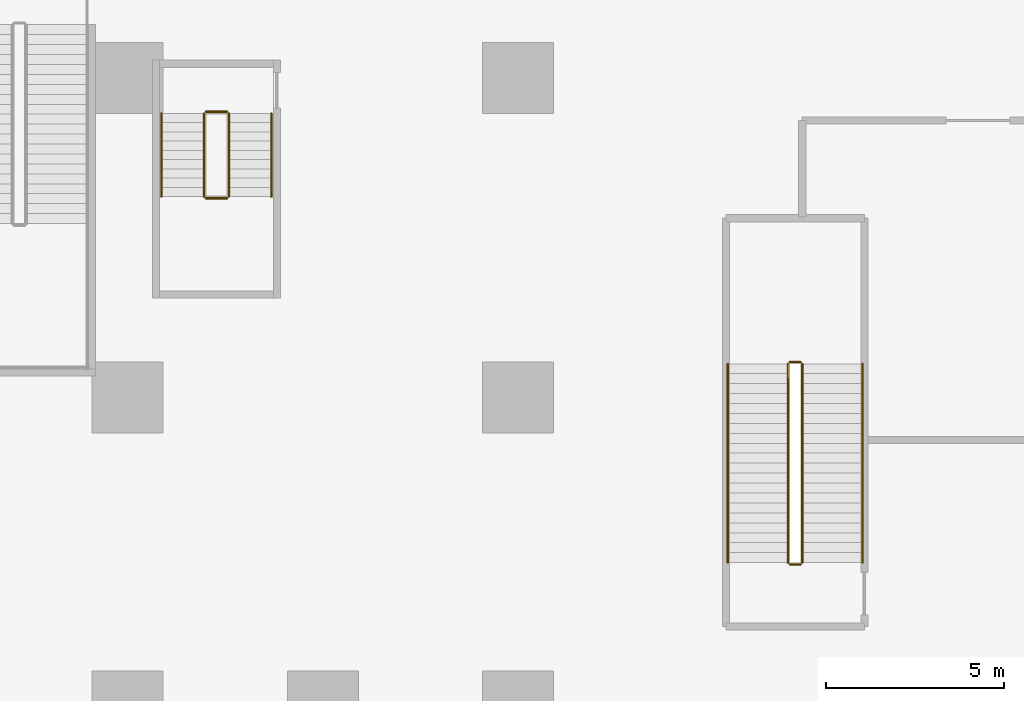
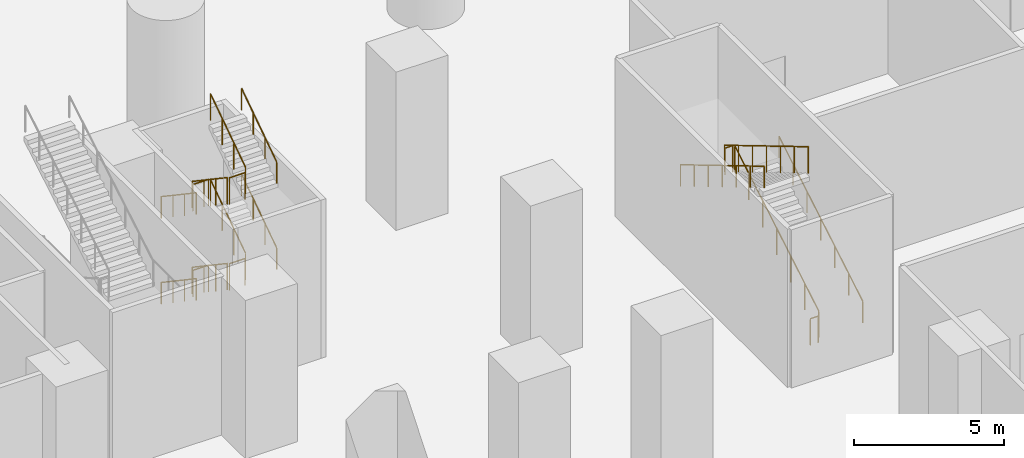
# One storey, part 24 of 37: 18 railings.
"""IFC4 building model written with IfcOpenShell, lengths in metres."""

import ifcopenshell
import ifcopenshell.guid

model = None  # the IFC model being written
_history = None  # IfcOwnerHistory: only IFC2X3 demands one
_inside = {}  # id of a spatial element -> (the spatial element, [elements in it])
_under = {}  # id of a project, library or spatial element -> (it, [spatial elements below it])
_declared = {}  # id of a project -> (the project, [libraries it declares])
_typed = {}  # id of a type object -> (the type object, [elements of that type])
_made_of = {}  # id of a material, layer set ... -> (it, [elements and type objects made of it])


def new_model(schema):
    """Start an empty IFC model of exactly this schema.

    Asked for "IFC4X3", IfcOpenShell would pick the latest addendum, in which some entities
    have other attributes; the version numbers below select the first issue.
    IFC2X3 requires an IfcOwnerHistory on every rooted entity: one is made here for all.
    """
    global model, _history
    if schema == "IFC4X3":
        model = ifcopenshell.file(schema_version=(4, 3, 0, 0))
    else:
        model = ifcopenshell.file(schema=schema)
    _inside.clear()
    _under.clear()
    _declared.clear()
    _typed.clear()
    _made_of.clear()
    _history = None
    if model.schema == "IFC2X3":
        org = make("IfcOrganization", Name="unknown")
        user = make(
            "IfcPersonAndOrganization",
            ThePerson=make("IfcPerson", FamilyName="unknown"),
            TheOrganization=org,
        )
        app = make(
            "IfcApplication",
            ApplicationDeveloper=org,
            Version="unknown",
            ApplicationFullName="unknown",
            ApplicationIdentifier="unknown",
        )
        _history = make(
            "IfcOwnerHistory",
            OwningUser=user,
            OwningApplication=app,
            ChangeAction="ADDED",
            CreationDate=0,
        )
    return model


def make(cls, **values):
    """One entity of the class cls with the attributes given. An attribute that is None is left unset."""
    return model.create_entity(
        cls, **{name: value for name, value in values.items() if value is not None}
    )


def rooted(cls, **values):
    """An entity with a GlobalId (a new one), such as an element, a storey or a relation."""
    return make(cls, GlobalId=ifcopenshell.guid.new(), OwnerHistory=_history, **values)


def si_unit(unit_type, name, prefix=None):
    """IfcSIUnit, for example si_unit("LENGTHUNIT", "METRE", prefix="MILLI")."""
    return make("IfcSIUnit", UnitType=unit_type, Prefix=prefix, Name=name)


def assignment(units):
    """IfcUnitAssignment: the units of a project."""
    return None if units is None else make("IfcUnitAssignment", Units=units)


def point(xyz):
    """IfcCartesianPoint."""
    return None if xyz is None else make("IfcCartesianPoint", Coordinates=xyz)


def direction(xyz):
    """IfcDirection."""
    return None if xyz is None else make("IfcDirection", DirectionRatios=xyz)


def frame(location, z_axis=None, x_axis=None):
    """IfcAxis2Placement3D, a coordinate frame: its origin and axes. An axis left out is left unset."""
    return make(
        "IfcAxis2Placement3D",
        Location=point(location),
        Axis=direction(z_axis),
        RefDirection=direction(x_axis),
    )


def frame_2d(location, x_axis=None):
    """IfcAxis2Placement2D, a coordinate frame in the plane: its origin and x axis."""
    return make(
        "IfcAxis2Placement2D", Location=point(location), RefDirection=direction(x_axis)
    )


def origin():
    """The frame at (0, 0, 0) with its axes left unset."""
    return frame((0.0, 0.0, 0.0))


def origin_2d():
    """The frame at (0, 0) in the plane with its x axis left unset."""
    return frame_2d((0.0, 0.0))


def place(relative_to, where):
    """IfcLocalPlacement: puts the frame where relative to a parent placement (None: the world)."""
    return make(
        "IfcLocalPlacement", PlacementRelTo=relative_to, RelativePlacement=where
    )


def context(
    kind, dimensions, precision=None, world=None, true_north=None, identifier=None
):
    """IfcGeometricRepresentationContext, for example the 3D "Model" context."""
    return make(
        "IfcGeometricRepresentationContext",
        ContextIdentifier=identifier,
        ContextType=kind,
        CoordinateSpaceDimension=dimensions,
        Precision=precision,
        WorldCoordinateSystem=world,
        TrueNorth=true_north,
    )


def subcontext(parent, identifier, kind, view, scale=None):
    """IfcGeometricRepresentationSubContext, for example "Body" below "Model"."""
    return make(
        "IfcGeometricRepresentationSubContext",
        ContextIdentifier=identifier,
        ContextType=kind,
        ParentContext=parent,
        TargetScale=scale,
        TargetView=view,
    )


def project(units=None, contexts=None):
    """IfcProject with its units and contexts."""
    return rooted(
        "IfcProject",
        Name="project",
        RepresentationContexts=contexts,
        UnitsInContext=assignment(units),
    )


def spatial(cls, under=None, at=None, **own):
    """A site, building, storey or space (cls), placed at a placement, below another one or the project."""
    s = rooted(cls, ObjectPlacement=at, **own)
    if under is not None:
        _under.setdefault(under.id(), (under, []))[1].append(s)
    return s


def profile(cls, at=None, kind="AREA", **sizes):
    """A parametric profile (cls). Its sizes go by their IFC names, for example OverallWidth=200.0."""
    return make(cls, ProfileType=kind, Position=at, **sizes)


def circle(**sizes):
    """IfcCircleProfileDef."""
    return profile("IfcCircleProfileDef", **sizes)


def extrude(swept, where, along, depth):
    """IfcExtrudedAreaSolid: the profile swept, set in the frame where, extruded along a direction by depth."""
    return make(
        "IfcExtrudedAreaSolid",
        SweptArea=swept,
        Position=where,
        ExtrudedDirection=direction(along),
        Depth=depth,
    )


def shape(context_of_items, identifier, shape_type, items):
    """IfcShapeRepresentation: the items that make up one representation, for example the "Body"."""
    return make(
        "IfcShapeRepresentation",
        ContextOfItems=context_of_items,
        RepresentationIdentifier=identifier,
        RepresentationType=shape_type,
        Items=items,
    )


def material(Name=None, Category=None):
    """IfcMaterial."""
    return make("IfcMaterial", Name=Name, Category=Category)


def made_of(thing, what):
    """Note that an element or type object is made of a material, layer set ...; save() writes the relation."""
    if what is not None:
        _made_of.setdefault(what.id(), (what, []))[1].append(thing)
    return thing


def type_object(cls, material=None, **own):
    """A type object (cls), such as IfcWallType, which elements share."""
    return made_of(rooted(cls, **own), material)


def element(
    cls,
    number,
    at=None,
    inside=None,
    cuts=None,
    type_object=None,
    material=None,
    context=None,
    identifier="Body",
    shape_type=None,
    held_by="IfcProductDefinitionShape",
    body=None,
    shapes=None,
    **own,
):
    """One element of the class cls, such as IfcWall. Its Tag is "e" and its number.

    at: its placement. inside: the storey or other place that contains it. cuts: it is an
    opening in that element (IfcRelVoidsElement). A single representation is given by context,
    identifier, shape_type and body (its items); several are given by shapes. held_by: the class
    of the entity that holds the representations. save() writes the other relations.
    """
    e = rooted(cls, Tag="e%d" % number, ObjectPlacement=at, **own)
    if body is not None:
        shapes = [shape(context, identifier, shape_type, body)]
    if shapes is not None:
        e.Representation = make(held_by, Representations=shapes)
    if inside is not None:
        _inside.setdefault(inside.id(), (inside, []))[1].append(e)
    if cuts is not None:
        rooted(
            "IfcRelVoidsElement", RelatingBuildingElement=cuts, RelatedOpeningElement=e
        )
    if type_object is not None:
        _typed.setdefault(type_object.id(), (type_object, []))[1].append(e)
    return made_of(e, material)


def aggregate(whole, parts):
    """IfcRelAggregates: a whole, such as a stair, and the parts it consists of."""
    return rooted("IfcRelAggregates", RelatingObject=whole, RelatedObjects=parts)


def save(model, path):
    """Write the relations noted so far, then the file.

    IfcRelAggregates (storeys below a building ...), IfcRelContainedInSpatialStructure (elements
    in a storey), IfcRelDefinesByType, IfcRelAssociatesMaterial and IfcRelDeclares: one each for
    every whole, place, type object, material and project.
    """
    for whole, parts in _under.values():
        aggregate(whole, parts)
    for where, things in _inside.values():
        rooted(
            "IfcRelContainedInSpatialStructure",
            RelatedElements=things,
            RelatingStructure=where,
        )
    for kind, things in _typed.values():
        rooted("IfcRelDefinesByType", RelatedObjects=things, RelatingType=kind)
    for what, things in _made_of.values():
        rooted("IfcRelAssociatesMaterial", RelatedObjects=things, RelatingMaterial=what)
    for by, libraries in _declared.values():
        rooted("IfcRelDeclares", RelatingContext=by, RelatedDefinitions=libraries)
    model.write(path)


model = new_model("IFC4")

# Units and contexts
model_context = context("Model", 3, precision=1e-05, world=origin(), true_north=direction((0.0, 1.0)))
body_context = subcontext(model_context, "Body", "Model", "MODEL_VIEW")
ifc_project = project(units=[si_unit("LENGTHUNIT", "METRE"), si_unit("AREAUNIT", "SQUARE_METRE"), si_unit("VOLUMEUNIT", "CUBIC_METRE"), si_unit("PLANEANGLEUNIT", "RADIAN"), si_unit("MASSUNIT", "GRAM", prefix="KILO")], contexts=[model_context])

# Site, building, storey
site_placement = place(None, origin())
site = spatial("IfcSite", under=ifc_project, at=site_placement, CompositionType="ELEMENT")
building_placement = place(site_placement, origin())
building = spatial("IfcBuilding", under=site, at=building_placement, Name="Tamarind Cross Interchange Tower", CompositionType="ELEMENT")
storey_placement = place(building_placement, frame((0.0, 0.0, -7.0)))
storey = spatial("IfcBuildingStorey", under=building, at=storey_placement, Name="B1", CompositionType="ELEMENT", Elevation=-7.0)

# Railings
ifc_material_1 = material(Name="Public stair guard")
railing_type_1 = type_object("IfcRailingType", Name="Public stair guard", PredefinedType="GUARDRAIL", material=ifc_material_1)
railing_1_placement = place(storey_placement, frame((13.5, -43.949951171875, 0.166748046875)))
element("IfcRailing", 1, at=railing_1_placement, inside=storey, type_object=railing_type_1, Name="B1 XS-P12 stair guard 1", PredefinedType="GUARDRAIL", context=body_context, shape_type="SweptSolid", body=[
    extrude(circle(Radius=0.02392578125, at=origin_2d()), frame((0.0, 0.0, 1.076171875), z_axis=(0.0, 0.859292492371, 0.511484518392), x_axis=(-1.0, 0.0, 0.0)), (0.0, 0.0, 1.0), 6.516845703125),
    extrude(circle(Radius=0.02099609375, at=origin_2d()), origin(), (0.0, 0.0, 1.0), 1.052001953125),
    extrude(circle(Radius=0.02099609375, at=origin_2d()), frame((0.0, 0.933349609375, 0.5556640625)), (0.0, 0.0, 1.0), 1.052001953125),
    extrude(circle(Radius=0.02099609375, at=origin_2d()), frame((0.0, 1.86669921875, 1.111083984375)), (0.0, 0.0, 1.0), 1.052001953125),
    extrude(circle(Radius=0.02099609375, at=origin_2d()), frame((0.0, 2.7998046875, 1.66650390625)), (0.0, 0.0, 1.0), 1.052001953125),
    extrude(circle(Radius=0.02099609375, at=origin_2d()), frame((0.0, 3.733154296875, 2.22216796875)), (0.0, 0.0, 1.0), 1.052001953125),
    extrude(circle(Radius=0.02099609375, at=origin_2d()), frame((0.0, 4.66650390625, 2.77783203125)), (0.0, 0.0, 1.0), 1.052001953125),
    extrude(circle(Radius=0.02099609375, at=origin_2d()), frame((0.0, 5.599853515625, 3.333251953125)), (0.0, 0.0, 1.0), 1.052001953125),
])
railing_2_placement = place(storey_placement, frame((13.449951171875, -38.300048828125, 3.5)))
element("IfcRailing", 2, at=railing_2_placement, inside=storey, type_object=railing_type_1, Name="B1 XS-P12 stair guard 2", PredefinedType="GUARDRAIL", context=body_context, shape_type="SweptSolid", body=[
    extrude(circle(Radius=0.02392578125, at=origin_2d()), frame((0.0, 0.0, 1.076171875), z_axis=(-1.0, 0.0, 0.0), x_axis=(0.0, -1.0, 0.0)), (0.0, 0.0, 1.0), 0.300048828125),
    extrude(circle(Radius=0.02099609375, at=origin_2d()), origin(), (0.0, 0.0, 1.0), 1.052001953125),
    extrude(circle(Radius=0.02099609375, at=origin_2d()), frame((-0.300048828125, 0.0, 0.0)), (0.0, 0.0, 1.0), 1.052001953125),
])
railing_3_placement = place(storey_placement, frame((13.10009765625, -38.35009765625, 3.666748046875)))
element("IfcRailing", 3, at=railing_3_placement, inside=storey, type_object=railing_type_1, Name="B1 XS-P12 stair guard 3", PredefinedType="GUARDRAIL", context=body_context, shape_type="SweptSolid", body=[
    extrude(circle(Radius=0.02392578125, at=origin_2d()), frame((0.0, 0.0, 1.076171875), z_axis=(0.0, -0.859292492371, 0.511484518392), x_axis=(1.0, 0.0, 0.0)), (0.0, 0.0, 1.0), 6.516845703125),
    extrude(circle(Radius=0.02099609375, at=origin_2d()), origin(), (0.0, 0.0, 1.0), 1.052001953125),
    extrude(circle(Radius=0.02099609375, at=origin_2d()), frame((0.0, -0.933349609375, 0.5556640625)), (0.0, 0.0, 1.0), 1.052001953125),
    extrude(circle(Radius=0.02099609375, at=origin_2d()), frame((0.0, -1.86669921875, 1.111083984375)), (0.0, 0.0, 1.0), 1.052001953125),
    extrude(circle(Radius=0.02099609375, at=origin_2d()), frame((0.0, -2.7998046875, 1.66650390625)), (0.0, 0.0, 1.0), 1.052001953125),
    extrude(circle(Radius=0.02099609375, at=origin_2d()), frame((0.0, -3.733154296875, 2.22216796875)), (0.0, 0.0, 1.0), 1.052001953125),
    extrude(circle(Radius=0.02099609375, at=origin_2d()), frame((0.0, -4.66650390625, 2.77783203125)), (0.0, 0.0, 1.0), 1.052001953125),
    extrude(circle(Radius=0.02099609375, at=origin_2d()), frame((0.0, -5.599853515625, 3.333251953125)), (0.0, 0.0, 1.0), 1.052001953125),
])
railing_4_placement = place(storey_placement, frame((13.449951171875, -44.0, 0.0)))
element("IfcRailing", 4, at=railing_4_placement, inside=storey, type_object=railing_type_1, Name="B1 XS-P12 stair guard 4", PredefinedType="GUARDRAIL", context=body_context, shape_type="SweptSolid", body=[
    extrude(circle(Radius=0.02392578125, at=origin_2d()), frame((0.0, 0.0, 1.076171875), z_axis=(-1.0, 0.0, 0.0), x_axis=(0.0, -1.0, 0.0)), (0.0, 0.0, 1.0), 0.300048828125),
    extrude(circle(Radius=0.02099609375, at=origin_2d()), origin(), (0.0, 0.0, 1.0), 1.052001953125),
    extrude(circle(Radius=0.02099609375, at=origin_2d()), frame((-0.300048828125, 0.0, 0.0)), (0.0, 0.0, 1.0), 1.052001953125),
])
ifc_material_2 = material(Name="Public stair handrail")
railing_type_2 = type_object("IfcRailingType", Name="Public stair handrail", PredefinedType="HANDRAIL", material=ifc_material_2)
railing_5_placement = place(storey_placement, frame((15.199951171875, -43.949951171875, 0.166748046875)))
element("IfcRailing", 5, at=railing_5_placement, inside=storey, type_object=railing_type_2, Name="B1 XS-P12 stair handrail 1", PredefinedType="HANDRAIL", context=body_context, shape_type="SweptSolid", body=[
    extrude(circle(Radius=0.02392578125, at=origin_2d()), frame((0.0, 0.0, 0.8759765625), z_axis=(0.0, 0.859292492371, 0.511484518392), x_axis=(-1.0, 0.0, 0.0)), (0.0, 0.0, 1.0), 6.516845703125),
    extrude(circle(Radius=0.02099609375, at=origin_2d()), origin(), (0.0, 0.0, 1.0), 0.851806640625),
    extrude(circle(Radius=0.02099609375, at=origin_2d()), frame((0.0, 0.933349609375, 0.5556640625)), (0.0, 0.0, 1.0), 0.851806640625),
    extrude(circle(Radius=0.02099609375, at=origin_2d()), frame((0.0, 1.86669921875, 1.111083984375)), (0.0, 0.0, 1.0), 0.851806640625),
    extrude(circle(Radius=0.02099609375, at=origin_2d()), frame((0.0, 2.7998046875, 1.66650390625)), (0.0, 0.0, 1.0), 0.851806640625),
    extrude(circle(Radius=0.02099609375, at=origin_2d()), frame((0.0, 3.733154296875, 2.22216796875)), (0.0, 0.0, 1.0), 0.851806640625),
    extrude(circle(Radius=0.02099609375, at=origin_2d()), frame((0.0, 4.66650390625, 2.77783203125)), (0.0, 0.0, 1.0), 0.851806640625),
    extrude(circle(Radius=0.02099609375, at=origin_2d()), frame((0.0, 5.599853515625, 3.333251953125)), (0.0, 0.0, 1.0), 0.851806640625),
])
railing_6_placement = place(storey_placement, frame((11.39990234375, -38.35009765625, 3.666748046875)))
element("IfcRailing", 6, at=railing_6_placement, inside=storey, type_object=railing_type_2, Name="B1 XS-P12 stair handrail 2", PredefinedType="HANDRAIL", context=body_context, shape_type="SweptSolid", body=[
    extrude(circle(Radius=0.02392578125, at=origin_2d()), frame((0.0, 0.0, 0.8759765625), z_axis=(0.0, -0.859292492371, 0.511484518392), x_axis=(1.0, 0.0, 0.0)), (0.0, 0.0, 1.0), 6.516845703125),
    extrude(circle(Radius=0.02099609375, at=origin_2d()), origin(), (0.0, 0.0, 1.0), 0.851806640625),
    extrude(circle(Radius=0.02099609375, at=origin_2d()), frame((0.0, -0.933349609375, 0.5556640625)), (0.0, 0.0, 1.0), 0.851806640625),
    extrude(circle(Radius=0.02099609375, at=origin_2d()), frame((0.0, -1.86669921875, 1.111083984375)), (0.0, 0.0, 1.0), 0.851806640625),
    extrude(circle(Radius=0.02099609375, at=origin_2d()), frame((0.0, -2.7998046875, 1.66650390625)), (0.0, 0.0, 1.0), 0.851806640625),
    extrude(circle(Radius=0.02099609375, at=origin_2d()), frame((0.0, -3.733154296875, 2.22216796875)), (0.0, 0.0, 1.0), 0.851806640625),
    extrude(circle(Radius=0.02099609375, at=origin_2d()), frame((0.0, -4.66650390625, 2.77783203125)), (0.0, 0.0, 1.0), 0.851806640625),
    extrude(circle(Radius=0.02099609375, at=origin_2d()), frame((0.0, -5.599853515625, 3.333251953125)), (0.0, 0.0, 1.0), 0.851806640625),
])
ifc_material_3 = material(Name="Stair guard")
railing_type_3 = type_object("IfcRailingType", Name="Stair guard", PredefinedType="GUARDRAIL", material=ifc_material_3)
railing_7_placement = place(storey_placement, frame((-3.35009765625, -31.300048828125, 0.175048828125)))
element("IfcRailing", 7, at=railing_7_placement, inside=storey, type_object=railing_type_3, Name="B1 ST6 stair guard 1", PredefinedType="GUARDRAIL", context=body_context, shape_type="SweptSolid", body=[
    extrude(circle(Radius=0.02392578125, at=origin_2d()), frame((0.0, 0.0, 1.076171875), z_axis=(0.0, -0.829578494604, 0.558390115681), x_axis=(1.0, 0.0, 0.0)), (0.0, 0.0, 1.0), 2.820556640625),
    extrude(circle(Radius=0.02099609375, at=origin_2d()), origin(), (0.0, 0.0, 1.0), 1.052001953125),
    extrude(circle(Radius=0.02099609375, at=origin_2d()), frame((0.0, -0.780029296875, 0.52490234375)), (0.0, 0.0, 1.0), 1.052001953125),
    extrude(circle(Radius=0.02099609375, at=origin_2d()), frame((0.0, -1.559814453125, 1.050048828125)), (0.0, 0.0, 1.0), 1.052001953125),
    extrude(circle(Radius=0.02099609375, at=origin_2d()), frame((0.0, -2.33984375, 1.574951171875)), (0.0, 0.0, 1.0), 1.052001953125),
])
railing_8_placement = place(storey_placement, frame((-3.300048828125, -33.68994140625, 1.75)))
element("IfcRailing", 8, at=railing_8_placement, inside=storey, type_object=railing_type_3, Name="B1 ST6 stair guard 2", PredefinedType="GUARDRAIL", context=body_context, shape_type="SweptSolid", body=[
    extrude(circle(Radius=0.02392578125, at=origin_2d()), frame((0.0, 0.0, 1.076171875), z_axis=(1.0, 0.0, 0.0), x_axis=(0.0, 1.0, 0.0)), (0.0, 0.0, 1.0), 0.60009765625),
    extrude(circle(Radius=0.02099609375, at=origin_2d()), origin(), (0.0, 0.0, 1.0), 1.052001953125),
    extrude(circle(Radius=0.02099609375, at=origin_2d()), frame((0.60009765625, 0.0, 0.0)), (0.0, 0.0, 1.0), 1.052001953125),
])
railing_9_placement = place(storey_placement, frame((-2.64990234375, -33.639892578125, 1.925048828125)))
element("IfcRailing", 9, at=railing_9_placement, inside=storey, type_object=railing_type_3, Name="B1 ST6 stair guard 3", PredefinedType="GUARDRAIL", context=body_context, shape_type="SweptSolid", body=[
    extrude(circle(Radius=0.02392578125, at=origin_2d()), frame((0.0, 0.0, 1.076171875), z_axis=(0.0, 0.829578494604, 0.558390115681), x_axis=(-1.0, 0.0, 0.0)), (0.0, 0.0, 1.0), 2.820556640625),
    extrude(circle(Radius=0.02099609375, at=origin_2d()), origin(), (0.0, 0.0, 1.0), 1.052001953125),
    extrude(circle(Radius=0.02099609375, at=origin_2d()), frame((0.0, 0.780029296875, 0.52490234375)), (0.0, 0.0, 1.0), 1.052001953125),
    extrude(circle(Radius=0.02099609375, at=origin_2d()), frame((0.0, 1.559814453125, 1.050048828125)), (0.0, 0.0, 1.0), 1.052001953125),
    extrude(circle(Radius=0.02099609375, at=origin_2d()), frame((0.0, 2.33984375, 1.574951171875)), (0.0, 0.0, 1.0), 1.052001953125),
])
railing_10_placement = place(storey_placement, frame((-3.300048828125, -31.25, 3.5)))
element("IfcRailing", 10, at=railing_10_placement, inside=storey, type_object=railing_type_3, Name="B1 ST6 stair guard 4", PredefinedType="GUARDRAIL", context=body_context, shape_type="SweptSolid", body=[
    extrude(circle(Radius=0.02392578125, at=origin_2d()), frame((0.0, 0.0, 1.076171875), z_axis=(1.0, 0.0, 0.0), x_axis=(0.0, 1.0, 0.0)), (0.0, 0.0, 1.0), 0.60009765625),
    extrude(circle(Radius=0.02099609375, at=origin_2d()), origin(), (0.0, 0.0, 1.0), 1.052001953125),
    extrude(circle(Radius=0.02099609375, at=origin_2d()), frame((0.60009765625, 0.0, 0.0)), (0.0, 0.0, 1.0), 1.052001953125),
])
railing_11_placement = place(storey_placement, frame((-3.35009765625, -31.300048828125, 3.675048828125)))
element("IfcRailing", 11, at=railing_11_placement, inside=storey, type_object=railing_type_3, Name="B1 ST6 stair guard 5", PredefinedType="GUARDRAIL", context=body_context, shape_type="SweptSolid", body=[
    extrude(circle(Radius=0.02392578125, at=origin_2d()), frame((0.0, 0.0, 1.076171875), z_axis=(0.0, -0.829578494604, 0.558390115681), x_axis=(1.0, 0.0, 0.0)), (0.0, 0.0, 1.0), 2.820556640625),
    extrude(circle(Radius=0.02099609375, at=origin_2d()), origin(), (0.0, 0.0, 1.0), 1.052001953125),
    extrude(circle(Radius=0.02099609375, at=origin_2d()), frame((0.0, -0.780029296875, 0.52490234375)), (0.0, 0.0, 1.0), 1.052001953125),
    extrude(circle(Radius=0.02099609375, at=origin_2d()), frame((0.0, -1.559814453125, 1.050048828125)), (0.0, 0.0, 1.0), 1.052001953125),
    extrude(circle(Radius=0.02099609375, at=origin_2d()), frame((0.0, -2.33984375, 1.574951171875)), (0.0, 0.0, 1.0), 1.052001953125),
])
railing_12_placement = place(storey_placement, frame((-3.300048828125, -33.68994140625, 5.25)))
element("IfcRailing", 12, at=railing_12_placement, inside=storey, type_object=railing_type_3, Name="B1 ST6 stair guard 6", PredefinedType="GUARDRAIL", context=body_context, shape_type="SweptSolid", body=[
    extrude(circle(Radius=0.02392578125, at=origin_2d()), frame((0.0, 0.0, 1.076171875), z_axis=(1.0, 0.0, 0.0), x_axis=(0.0, 1.0, 0.0)), (0.0, 0.0, 1.0), 0.60009765625),
    extrude(circle(Radius=0.02099609375, at=origin_2d()), origin(), (0.0, 0.0, 1.0), 1.052001953125),
    extrude(circle(Radius=0.02099609375, at=origin_2d()), frame((0.60009765625, 0.0, 0.0)), (0.0, 0.0, 1.0), 1.052001953125),
])
railing_13_placement = place(storey_placement, frame((-2.64990234375, -33.639892578125, 5.425048828125)))
element("IfcRailing", 13, at=railing_13_placement, inside=storey, type_object=railing_type_3, Name="B1 ST6 stair guard 7", PredefinedType="GUARDRAIL", context=body_context, shape_type="SweptSolid", body=[
    extrude(circle(Radius=0.02392578125, at=origin_2d()), frame((0.0, 0.0, 1.076171875), z_axis=(0.0, 0.829578494604, 0.558390115681), x_axis=(-1.0, 0.0, 0.0)), (0.0, 0.0, 1.0), 2.820556640625),
    extrude(circle(Radius=0.02099609375, at=origin_2d()), origin(), (0.0, 0.0, 1.0), 1.052001953125),
    extrude(circle(Radius=0.02099609375, at=origin_2d()), frame((0.0, 0.780029296875, 0.52490234375)), (0.0, 0.0, 1.0), 1.052001953125),
    extrude(circle(Radius=0.02099609375, at=origin_2d()), frame((0.0, 1.559814453125, 1.050048828125)), (0.0, 0.0, 1.0), 1.052001953125),
    extrude(circle(Radius=0.02099609375, at=origin_2d()), frame((0.0, 2.33984375, 1.574951171875)), (0.0, 0.0, 1.0), 1.052001953125),
])
railing_14_placement = place(storey_placement, frame((-3.300048828125, -31.25, 0.0)))
element("IfcRailing", 14, at=railing_14_placement, inside=storey, type_object=railing_type_3, Name="B1 ST6 stair guard 8", PredefinedType="GUARDRAIL", context=body_context, shape_type="SweptSolid", body=[
    extrude(circle(Radius=0.02392578125, at=origin_2d()), frame((0.0, 0.0, 1.076171875), z_axis=(1.0, 0.0, 0.0), x_axis=(0.0, 1.0, 0.0)), (0.0, 0.0, 1.0), 0.60009765625),
    extrude(circle(Radius=0.02099609375, at=origin_2d()), origin(), (0.0, 0.0, 1.0), 1.052001953125),
    extrude(circle(Radius=0.02099609375, at=origin_2d()), frame((0.60009765625, 0.0, 0.0)), (0.0, 0.0, 1.0), 1.052001953125),
])
ifc_material_4 = material(Name="Stair handrail")
railing_type_4 = type_object("IfcRailingType", Name="Stair handrail", PredefinedType="HANDRAIL", material=ifc_material_4)
railing_15_placement = place(storey_placement, frame((-4.550048828125, -31.300048828125, 0.175048828125)))
element("IfcRailing", 15, at=railing_15_placement, inside=storey, type_object=railing_type_4, Name="B1 ST6 stair handrail 1", PredefinedType="HANDRAIL", context=body_context, shape_type="SweptSolid", body=[
    extrude(circle(Radius=0.02392578125, at=origin_2d()), frame((0.0, 0.0, 0.8759765625), z_axis=(0.0, -0.829578494604, 0.558390115681), x_axis=(1.0, 0.0, 0.0)), (0.0, 0.0, 1.0), 2.820556640625),
    extrude(circle(Radius=0.02099609375, at=origin_2d()), origin(), (0.0, 0.0, 1.0), 0.851806640625),
    extrude(circle(Radius=0.02099609375, at=origin_2d()), frame((0.0, -0.780029296875, 0.52490234375)), (0.0, 0.0, 1.0), 0.851806640625),
    extrude(circle(Radius=0.02099609375, at=origin_2d()), frame((0.0, -1.559814453125, 1.050048828125)), (0.0, 0.0, 1.0), 0.851806640625),
    extrude(circle(Radius=0.02099609375, at=origin_2d()), frame((0.0, -2.33984375, 1.574951171875)), (0.0, 0.0, 1.0), 0.851806640625),
])
railing_16_placement = place(storey_placement, frame((-1.449951171875, -33.639892578125, 1.925048828125)))
element("IfcRailing", 16, at=railing_16_placement, inside=storey, type_object=railing_type_4, Name="B1 ST6 stair handrail 2", PredefinedType="HANDRAIL", context=body_context, shape_type="SweptSolid", body=[
    extrude(circle(Radius=0.02392578125, at=origin_2d()), frame((0.0, 0.0, 0.8759765625), z_axis=(0.0, 0.829578494604, 0.558390115681), x_axis=(-1.0, 0.0, 0.0)), (0.0, 0.0, 1.0), 2.820556640625),
    extrude(circle(Radius=0.02099609375, at=origin_2d()), origin(), (0.0, 0.0, 1.0), 0.851806640625),
    extrude(circle(Radius=0.02099609375, at=origin_2d()), frame((0.0, 0.780029296875, 0.52490234375)), (0.0, 0.0, 1.0), 0.851806640625),
    extrude(circle(Radius=0.02099609375, at=origin_2d()), frame((0.0, 1.559814453125, 1.050048828125)), (0.0, 0.0, 1.0), 0.851806640625),
    extrude(circle(Radius=0.02099609375, at=origin_2d()), frame((0.0, 2.33984375, 1.574951171875)), (0.0, 0.0, 1.0), 0.851806640625),
])
railing_17_placement = place(storey_placement, frame((-4.550048828125, -31.300048828125, 3.675048828125)))
element("IfcRailing", 17, at=railing_17_placement, inside=storey, type_object=railing_type_4, Name="B1 ST6 stair handrail 3", PredefinedType="HANDRAIL", context=body_context, shape_type="SweptSolid", body=[
    extrude(circle(Radius=0.02392578125, at=origin_2d()), frame((0.0, 0.0, 0.8759765625), z_axis=(0.0, -0.829578494604, 0.558390115681), x_axis=(1.0, 0.0, 0.0)), (0.0, 0.0, 1.0), 2.820556640625),
    extrude(circle(Radius=0.02099609375, at=origin_2d()), origin(), (0.0, 0.0, 1.0), 0.851806640625),
    extrude(circle(Radius=0.02099609375, at=origin_2d()), frame((0.0, -0.780029296875, 0.52490234375)), (0.0, 0.0, 1.0), 0.851806640625),
    extrude(circle(Radius=0.02099609375, at=origin_2d()), frame((0.0, -1.559814453125, 1.050048828125)), (0.0, 0.0, 1.0), 0.851806640625),
    extrude(circle(Radius=0.02099609375, at=origin_2d()), frame((0.0, -2.33984375, 1.574951171875)), (0.0, 0.0, 1.0), 0.851806640625),
])
railing_18_placement = place(storey_placement, frame((-1.449951171875, -33.639892578125, 5.425048828125)))
element("IfcRailing", 18, at=railing_18_placement, inside=storey, type_object=railing_type_4, Name="B1 ST6 stair handrail 4", PredefinedType="HANDRAIL", context=body_context, shape_type="SweptSolid", body=[
    extrude(circle(Radius=0.02392578125, at=origin_2d()), frame((0.0, 0.0, 0.8759765625), z_axis=(0.0, 0.829578494604, 0.558390115681), x_axis=(-1.0, 0.0, 0.0)), (0.0, 0.0, 1.0), 2.820556640625),
    extrude(circle(Radius=0.02099609375, at=origin_2d()), origin(), (0.0, 0.0, 1.0), 0.851806640625),
    extrude(circle(Radius=0.02099609375, at=origin_2d()), frame((0.0, 0.780029296875, 0.52490234375)), (0.0, 0.0, 1.0), 0.851806640625),
    extrude(circle(Radius=0.02099609375, at=origin_2d()), frame((0.0, 1.559814453125, 1.050048828125)), (0.0, 0.0, 1.0), 0.851806640625),
    extrude(circle(Radius=0.02099609375, at=origin_2d()), frame((0.0, 2.33984375, 1.574951171875)), (0.0, 0.0, 1.0), 0.851806640625),
])

save(model, "model.ifc")
